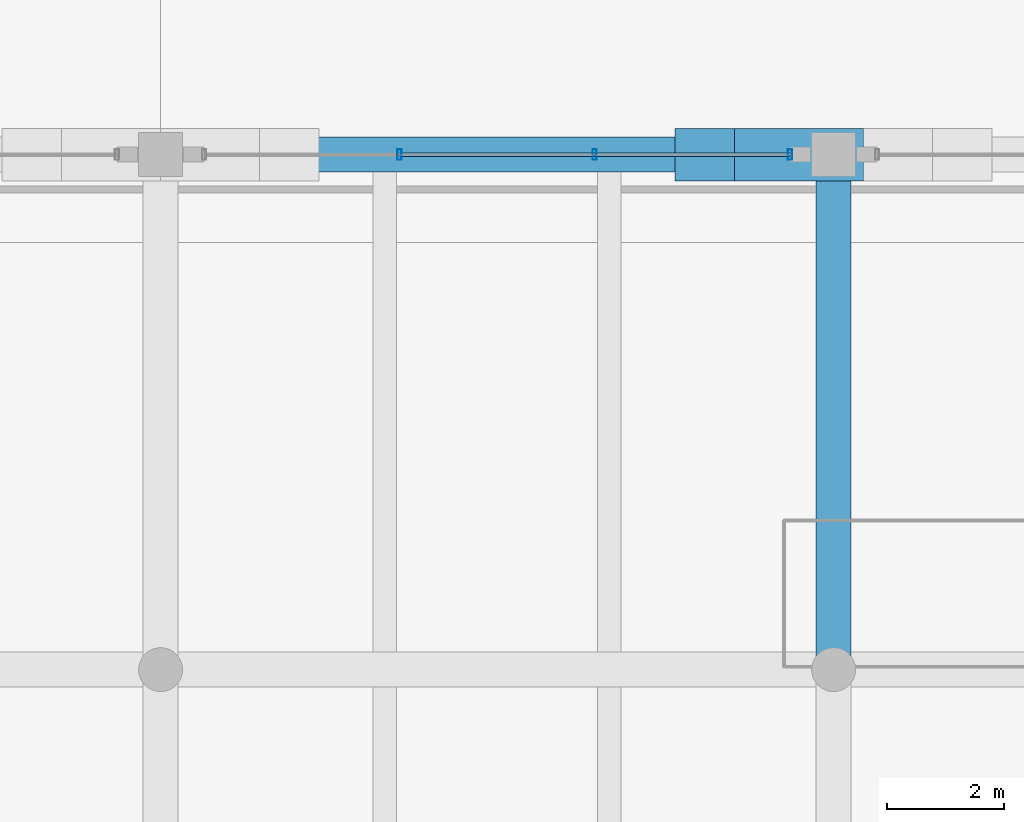
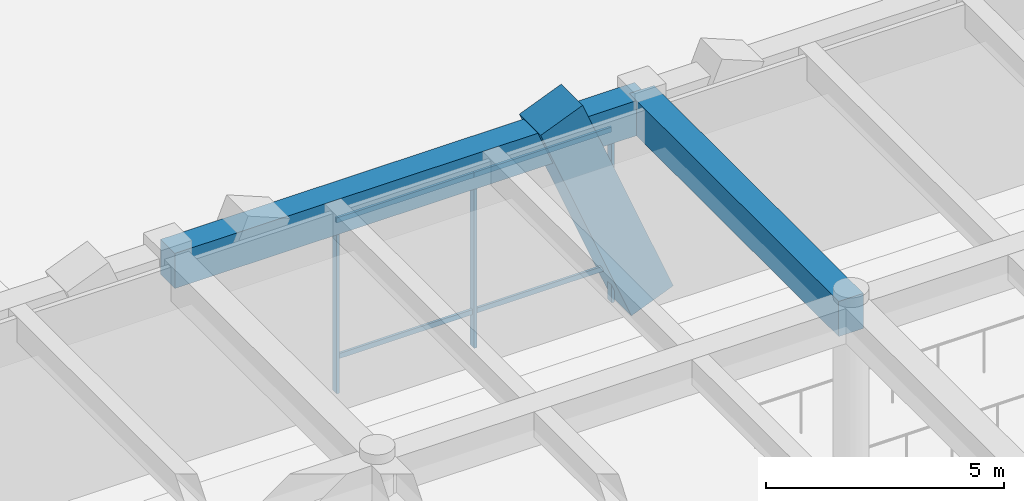
# One storey, part 42 of 148: 8 members, 2 beams, 1 element without a shape of its own.
"""IFC4 building model written with IfcOpenShell, lengths in metres."""

import ifcopenshell
import ifcopenshell.guid

model = None  # the IFC model being written
_history = None  # IfcOwnerHistory: only IFC2X3 demands one
_inside = {}  # id of a spatial element -> (the spatial element, [elements in it])
_under = {}  # id of a project, library or spatial element -> (it, [spatial elements below it])
_declared = {}  # id of a project -> (the project, [libraries it declares])
_typed = {}  # id of a type object -> (the type object, [elements of that type])
_made_of = {}  # id of a material, layer set ... -> (it, [elements and type objects made of it])


def new_model(schema):
    """Start an empty IFC model of exactly this schema.

    Asked for "IFC4X3", IfcOpenShell would pick the latest addendum, in which some entities
    have other attributes; the version numbers below select the first issue.
    IFC2X3 requires an IfcOwnerHistory on every rooted entity: one is made here for all.
    """
    global model, _history
    if schema == "IFC4X3":
        model = ifcopenshell.file(schema_version=(4, 3, 0, 0))
    else:
        model = ifcopenshell.file(schema=schema)
    _inside.clear()
    _under.clear()
    _declared.clear()
    _typed.clear()
    _made_of.clear()
    _history = None
    if model.schema == "IFC2X3":
        org = make("IfcOrganization", Name="unknown")
        user = make(
            "IfcPersonAndOrganization",
            ThePerson=make("IfcPerson", FamilyName="unknown"),
            TheOrganization=org,
        )
        app = make(
            "IfcApplication",
            ApplicationDeveloper=org,
            Version="unknown",
            ApplicationFullName="unknown",
            ApplicationIdentifier="unknown",
        )
        _history = make(
            "IfcOwnerHistory",
            OwningUser=user,
            OwningApplication=app,
            ChangeAction="ADDED",
            CreationDate=0,
        )
    return model


def make(cls, **values):
    """One entity of the class cls with the attributes given. An attribute that is None is left unset."""
    return model.create_entity(
        cls, **{name: value for name, value in values.items() if value is not None}
    )


def rooted(cls, **values):
    """An entity with a GlobalId (a new one), such as an element, a storey or a relation."""
    return make(cls, GlobalId=ifcopenshell.guid.new(), OwnerHistory=_history, **values)


def si_unit(unit_type, name, prefix=None):
    """IfcSIUnit, for example si_unit("LENGTHUNIT", "METRE", prefix="MILLI")."""
    return make("IfcSIUnit", UnitType=unit_type, Prefix=prefix, Name=name)


def assignment(units):
    """IfcUnitAssignment: the units of a project."""
    return None if units is None else make("IfcUnitAssignment", Units=units)


def point(xyz):
    """IfcCartesianPoint."""
    return None if xyz is None else make("IfcCartesianPoint", Coordinates=xyz)


def direction(xyz):
    """IfcDirection."""
    return None if xyz is None else make("IfcDirection", DirectionRatios=xyz)


def frame(location, z_axis=None, x_axis=None):
    """IfcAxis2Placement3D, a coordinate frame: its origin and axes. An axis left out is left unset."""
    return make(
        "IfcAxis2Placement3D",
        Location=point(location),
        Axis=direction(z_axis),
        RefDirection=direction(x_axis),
    )


def frame_2d(location, x_axis=None):
    """IfcAxis2Placement2D, a coordinate frame in the plane: its origin and x axis."""
    return make(
        "IfcAxis2Placement2D", Location=point(location), RefDirection=direction(x_axis)
    )


def origin():
    """The frame at (0, 0, 0) with its axes left unset."""
    return frame((0.0, 0.0, 0.0))


def origin_2d():
    """The frame at (0, 0) in the plane with its x axis left unset."""
    return frame_2d((0.0, 0.0))


def place(relative_to, where):
    """IfcLocalPlacement: puts the frame where relative to a parent placement (None: the world)."""
    return make(
        "IfcLocalPlacement", PlacementRelTo=relative_to, RelativePlacement=where
    )


def context(
    kind, dimensions, precision=None, world=None, true_north=None, identifier=None
):
    """IfcGeometricRepresentationContext, for example the 3D "Model" context."""
    return make(
        "IfcGeometricRepresentationContext",
        ContextIdentifier=identifier,
        ContextType=kind,
        CoordinateSpaceDimension=dimensions,
        Precision=precision,
        WorldCoordinateSystem=world,
        TrueNorth=true_north,
    )


def subcontext(parent, identifier, kind, view, scale=None):
    """IfcGeometricRepresentationSubContext, for example "Body" below "Model"."""
    return make(
        "IfcGeometricRepresentationSubContext",
        ContextIdentifier=identifier,
        ContextType=kind,
        ParentContext=parent,
        TargetScale=scale,
        TargetView=view,
    )


def project(units=None, contexts=None):
    """IfcProject with its units and contexts."""
    return rooted(
        "IfcProject",
        Name="project",
        RepresentationContexts=contexts,
        UnitsInContext=assignment(units),
    )


def spatial(cls, under=None, at=None, **own):
    """A site, building, storey or space (cls), placed at a placement, below another one or the project."""
    s = rooted(cls, ObjectPlacement=at, **own)
    if under is not None:
        _under.setdefault(under.id(), (under, []))[1].append(s)
    return s


def profile(cls, at=None, kind="AREA", **sizes):
    """A parametric profile (cls). Its sizes go by their IFC names, for example OverallWidth=200.0."""
    return make(cls, ProfileType=kind, Position=at, **sizes)


def rectangle(**sizes):
    """IfcRectangleProfileDef."""
    return profile("IfcRectangleProfileDef", **sizes)


def hollow_rectangle(**sizes):
    """IfcRectangleHollowProfileDef."""
    return profile("IfcRectangleHollowProfileDef", **sizes)


def extrude(swept, where, along, depth):
    """IfcExtrudedAreaSolid: the profile swept, set in the frame where, extruded along a direction by depth."""
    return make(
        "IfcExtrudedAreaSolid",
        SweptArea=swept,
        Position=where,
        ExtrudedDirection=direction(along),
        Depth=depth,
    )


def shape(context_of_items, identifier, shape_type, items):
    """IfcShapeRepresentation: the items that make up one representation, for example the "Body"."""
    return make(
        "IfcShapeRepresentation",
        ContextOfItems=context_of_items,
        RepresentationIdentifier=identifier,
        RepresentationType=shape_type,
        Items=items,
    )


def material(Name=None, Category=None):
    """IfcMaterial."""
    return make("IfcMaterial", Name=Name, Category=Category)


def material_profile(
    of_material, cross_section, Name=None, Category=None, Priority=None
):
    """IfcMaterialProfile: a cross section and its material."""
    return make(
        "IfcMaterialProfile",
        Name=Name,
        Material=of_material,
        Profile=cross_section,
        Priority=Priority,
        Category=Category,
    )


def profile_set(profiles, Name=None, composite=None):
    """IfcMaterialProfileSet."""
    return make(
        "IfcMaterialProfileSet",
        Name=Name,
        MaterialProfiles=profiles,
        CompositeProfile=composite,
    )


def made_of(thing, what):
    """Note that an element or type object is made of a material, layer set ...; save() writes the relation."""
    if what is not None:
        _made_of.setdefault(what.id(), (what, []))[1].append(thing)
    return thing


def type_object(cls, material=None, **own):
    """A type object (cls), such as IfcWallType, which elements share."""
    return made_of(rooted(cls, **own), material)


def element(
    cls,
    number,
    at=None,
    inside=None,
    cuts=None,
    type_object=None,
    material=None,
    context=None,
    identifier="Body",
    shape_type=None,
    held_by="IfcProductDefinitionShape",
    body=None,
    shapes=None,
    **own,
):
    """One element of the class cls, such as IfcWall. Its Tag is "e" and its number.

    at: its placement. inside: the storey or other place that contains it. cuts: it is an
    opening in that element (IfcRelVoidsElement). A single representation is given by context,
    identifier, shape_type and body (its items); several are given by shapes. held_by: the class
    of the entity that holds the representations. save() writes the other relations.
    """
    e = rooted(cls, Tag="e%d" % number, ObjectPlacement=at, **own)
    if body is not None:
        shapes = [shape(context, identifier, shape_type, body)]
    if shapes is not None:
        e.Representation = make(held_by, Representations=shapes)
    if inside is not None:
        _inside.setdefault(inside.id(), (inside, []))[1].append(e)
    if cuts is not None:
        rooted(
            "IfcRelVoidsElement", RelatingBuildingElement=cuts, RelatedOpeningElement=e
        )
    if type_object is not None:
        _typed.setdefault(type_object.id(), (type_object, []))[1].append(e)
    return made_of(e, material)


def aggregate(whole, parts):
    """IfcRelAggregates: a whole, such as a stair, and the parts it consists of."""
    return rooted("IfcRelAggregates", RelatingObject=whole, RelatedObjects=parts)


def save(model, path):
    """Write the relations noted so far, then the file.

    IfcRelAggregates (storeys below a building ...), IfcRelContainedInSpatialStructure (elements
    in a storey), IfcRelDefinesByType, IfcRelAssociatesMaterial and IfcRelDeclares: one each for
    every whole, place, type object, material and project.
    """
    for whole, parts in _under.values():
        aggregate(whole, parts)
    for where, things in _inside.values():
        rooted(
            "IfcRelContainedInSpatialStructure",
            RelatedElements=things,
            RelatingStructure=where,
        )
    for kind, things in _typed.values():
        rooted("IfcRelDefinesByType", RelatedObjects=things, RelatingType=kind)
    for what, things in _made_of.values():
        rooted("IfcRelAssociatesMaterial", RelatedObjects=things, RelatingMaterial=what)
    for by, libraries in _declared.values():
        rooted("IfcRelDeclares", RelatingContext=by, RelatedDefinitions=libraries)
    model.write(path)


model = new_model("IFC4")

# Units and contexts
model_context = context("Model", 3, precision=1e-05, world=origin(), true_north=direction((0.0, 1.0)))
body_context = subcontext(model_context, "Body", "Model", "MODEL_VIEW")
ifc_project = project(units=[si_unit("LENGTHUNIT", "METRE"), si_unit("AREAUNIT", "SQUARE_METRE"), si_unit("VOLUMEUNIT", "CUBIC_METRE"), si_unit("PLANEANGLEUNIT", "RADIAN"), si_unit("MASSUNIT", "GRAM", prefix="KILO")], contexts=[model_context])

# Site, building, storey
site_placement = place(None, origin())
site = spatial("IfcSite", under=ifc_project, at=site_placement, CompositionType="ELEMENT")
building_placement = place(site_placement, origin())
building = spatial("IfcBuilding", under=site, at=building_placement, Name="Ologun Quay Terminus", CompositionType="ELEMENT")
storey_placement = place(building_placement, frame((0.0, 0.0, 8.39990234375)))
storey = spatial("IfcBuildingStorey", under=building, at=storey_placement, Name="L02", CompositionType="ELEMENT", Elevation=8.39990234375)

# Curtain wall, members
ifc_material_1 = material(Name="Aluminium 6063-T6", Category="aluminium")
curtain_wall_type = type_object("IfcCurtainWallType", Name="Train Shed South Clerestory Curtain Wall 10700x5050", PredefinedType="USERDEFINED", material=ifc_material_1)
curtain_wall_placement = place(storey_placement, origin())
curtain_wall = element("IfcCurtainWall", 1, at=curtain_wall_placement, inside=storey, type_object=curtain_wall_type, Name="CW-08 Curtain Wall CW-L02-060", ObjectType="UNITISED CURTAIN WALL", PredefinedType="USERDEFINED")
ifc_material_2 = material(Name="Aluminium 6063-T6", Category="aluminium")
ifc_material_profile_1 = material_profile(ifc_material_2, hollow_rectangle(XDim=0.070068359375, YDim=0.179931640625, WallThickness=0.0048828125, at=origin_2d()), Name="ALU 180x70x5")
ifc_profile_set_1 = profile_set([ifc_material_profile_1], Name="Aluminium 6063-T6")
member_type_1 = type_object("IfcMemberType", Name="Concourse Clerestory Mullion 180x70", PredefinedType="MULLION", material=ifc_profile_set_1)
member_1_placement = place(storey_placement, frame((96.081787109375, 36.0, 0.0), z_axis=(0.0, 0.0, 1.0), x_axis=(1.0, 0.0, 0.0)))
member_1 = element("IfcMember", 2, at=member_1_placement, type_object=member_type_1, Name="CW-L02-060 Mullion 2", PredefinedType="MULLION", context=body_context, shape_type="SweptSolid", body=[
    extrude(hollow_rectangle(XDim=0.070068359375, YDim=0.179931640625, WallThickness=0.0048828125, at=origin_2d()), origin(), (0.0, 0.0, 1.0), 5.10009765625),
])
member_2_placement = place(storey_placement, frame((99.418212890625, 36.0, 0.0), z_axis=(0.0, 0.0, 1.0), x_axis=(1.0, 0.0, 0.0)))
member_2 = element("IfcMember", 3, at=member_2_placement, type_object=member_type_1, Name="CW-L02-060 Mullion 3", PredefinedType="MULLION", context=body_context, shape_type="SweptSolid", body=[
    extrude(hollow_rectangle(XDim=0.070068359375, YDim=0.179931640625, WallThickness=0.0048828125, at=origin_2d()), origin(), (0.0, 0.0, 1.0), 5.10009765625),
])
member_3_placement = place(storey_placement, frame((102.7548828125, 36.0, 0.0), z_axis=(0.0, 0.0, 1.0), x_axis=(1.0, 0.0, 0.0)))
member_3 = element("IfcMember", 4, at=member_3_placement, type_object=member_type_1, Name="CW-L02-060 Mullion 4", PredefinedType="MULLION", context=body_context, shape_type="SweptSolid", body=[
    extrude(hollow_rectangle(XDim=0.070068359375, YDim=0.179931640625, WallThickness=0.0048828125, at=origin_2d()), origin(), (0.0, 0.0, 1.0), 5.10009765625),
])
ifc_material_3 = material(Name="Aluminium 6063-T6", Category="aluminium")
ifc_material_profile_2 = material_profile(ifc_material_3, hollow_rectangle(XDim=0.06005859375, YDim=0.1298828125, WallThickness=0.00390625, at=origin_2d()), Name="ALU 130x60x4")
ifc_profile_set_2 = profile_set([ifc_material_profile_2], Name="Aluminium 6063-T6")
member_type_2 = type_object("IfcMemberType", Name="Concourse Clerestory Transom 130x60", PredefinedType="USERDEFINED", material=ifc_profile_set_2)
member_4_placement = place(storey_placement, frame((96.081787109375, 36.0, 0.900146484375), z_axis=(1.0, 0.0, 0.0), x_axis=(0.0, 1.0, 0.0)))
member_4 = element("IfcMember", 5, at=member_4_placement, type_object=member_type_2, Name="CW-L02-060 Transom B2-1", ObjectType="TRANSOM", PredefinedType="USERDEFINED", context=body_context, shape_type="SweptSolid", body=[
    extrude(hollow_rectangle(XDim=0.06005859375, YDim=0.1298828125, WallThickness=0.00390625, at=origin_2d()), origin(), (0.0, 0.0, 1.0), 3.33642578125),
])
member_5_placement = place(storey_placement, frame((96.081787109375, 36.0, 4.400146484375), z_axis=(1.0, 0.0, 0.0), x_axis=(0.0, 1.0, 0.0)))
member_5 = element("IfcMember", 6, at=member_5_placement, type_object=member_type_2, Name="CW-L02-060 Transom B2-2", ObjectType="TRANSOM", PredefinedType="USERDEFINED", context=body_context, shape_type="SweptSolid", body=[
    extrude(hollow_rectangle(XDim=0.06005859375, YDim=0.1298828125, WallThickness=0.00390625, at=origin_2d()), origin(), (0.0, 0.0, 1.0), 3.33642578125),
])
member_6_placement = place(storey_placement, frame((99.418212890625, 36.0, 0.900146484375), z_axis=(1.0, 0.0, 0.0), x_axis=(0.0, 1.0, 0.0)))
member_6 = element("IfcMember", 7, at=member_6_placement, type_object=member_type_2, Name="CW-L02-060 Transom B3-1", ObjectType="TRANSOM", PredefinedType="USERDEFINED", context=body_context, shape_type="SweptSolid", body=[
    extrude(hollow_rectangle(XDim=0.06005859375, YDim=0.1298828125, WallThickness=0.00390625, at=origin_2d()), origin(), (0.0, 0.0, 1.0), 3.336669921875),
])
member_7_placement = place(storey_placement, frame((99.418212890625, 36.0, 4.400146484375), z_axis=(1.0, 0.0, 0.0), x_axis=(0.0, 1.0, 0.0)))
member_7 = element("IfcMember", 8, at=member_7_placement, type_object=member_type_2, Name="CW-L02-060 Transom B3-2", ObjectType="TRANSOM", PredefinedType="USERDEFINED", context=body_context, shape_type="SweptSolid", body=[
    extrude(hollow_rectangle(XDim=0.06005859375, YDim=0.1298828125, WallThickness=0.00390625, at=origin_2d()), origin(), (0.0, 0.0, 1.0), 3.336669921875),
])
aggregate(curtain_wall, [member_1, member_2, member_3, member_4, member_5, member_6, member_7])

# Member
ifc_material_4 = material(Name="Concrete C45/55", Category="concrete")
ifc_material_profile_3 = material_profile(ifc_material_4, rectangle(XDim=0.89990234375, YDim=1.10009765625, at=origin_2d()), Name="RC 900x1100")
ifc_profile_set_3 = profile_set([ifc_material_profile_3], Name="Concrete C45/55")
member_type_3 = type_object("IfcMemberType", Name="Sculpted Concrete Arch V-Buttress Strut 900x1100", PredefinedType="STRUT", material=ifc_profile_set_3)
member_8_placement = place(storey_placement, frame((103.5, 36.0, 0.0), z_axis=(-0.377280927807, 0.0, 0.926098861631), x_axis=(0.0, -1.0, 0.0)))
element("IfcMember", 9, at=member_8_placement, inside=storey, type_object=member_type_3, Name="VS1 Arch V-Buttress West Limb 10/E", PredefinedType="STRUT", context=body_context, shape_type="SweptSolid", body=[
    extrude(rectangle(XDim=0.89990234375, YDim=1.10009765625, at=origin_2d()), origin(), (0.0, 0.0, 1.0), 5.8310546875),
])

# Beams
ifc_material_5 = material(Name="Concrete C40/50", Category="concrete")
ifc_material_profile_4 = material_profile(ifc_material_5, rectangle(XDim=0.60009765625, YDim=0.89990234375, at=origin_2d()), Name="RC 600x900")
ifc_profile_set_4 = profile_set([ifc_material_profile_4], Name="Concrete C40/50")
beam_type = type_object("IfcBeamType", Name="Station Frame Girder 600x900", PredefinedType="BEAM", material=ifc_profile_set_4)
beam_1_placement = place(storey_placement, frame((92.0, 36.0, 4.7001953125), z_axis=(1.0, 0.0, 0.0), x_axis=(0.0, 1.0, 0.0)))
element("IfcBeam", 10, at=beam_1_placement, inside=storey, type_object=beam_type, Name="B3 Beam 9/E L02", PredefinedType="BEAM", context=body_context, shape_type="SweptSolid", body=[
    extrude(rectangle(XDim=0.60009765625, YDim=0.89990234375, at=origin_2d()), origin(), (0.0, 0.0, 1.0), 11.5),
])
beam_2_placement = place(storey_placement, frame((103.5, 27.199951171875, 4.7001953125), z_axis=(0.0, 1.0, 0.0), x_axis=(-1.0, 0.0, 0.0)))
element("IfcBeam", 11, at=beam_2_placement, inside=storey, type_object=beam_type, Name="B3 Beam 10/D L02", PredefinedType="BEAM", context=body_context, shape_type="SweptSolid", body=[
    extrude(rectangle(XDim=0.60009765625, YDim=0.89990234375, at=origin_2d()), origin(), (0.0, 0.0, 1.0), 8.800048828125),
])

save(model, "model.ifc")
